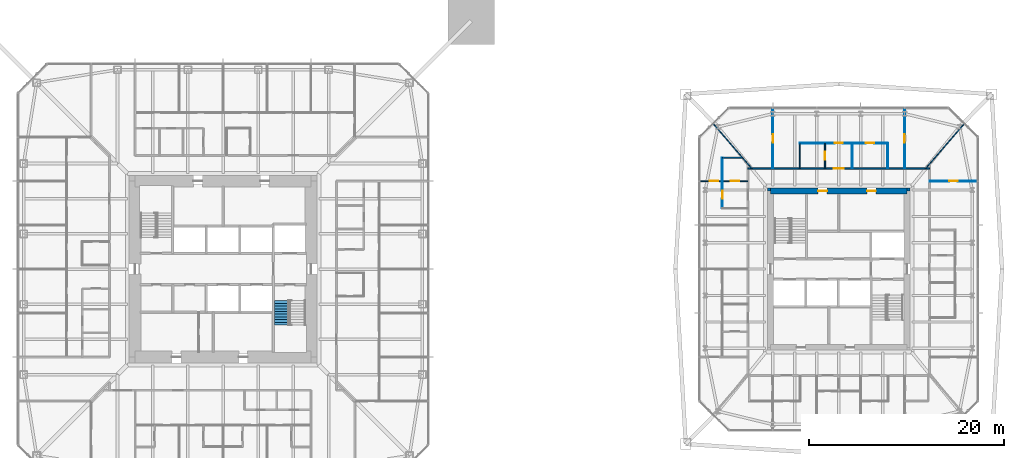
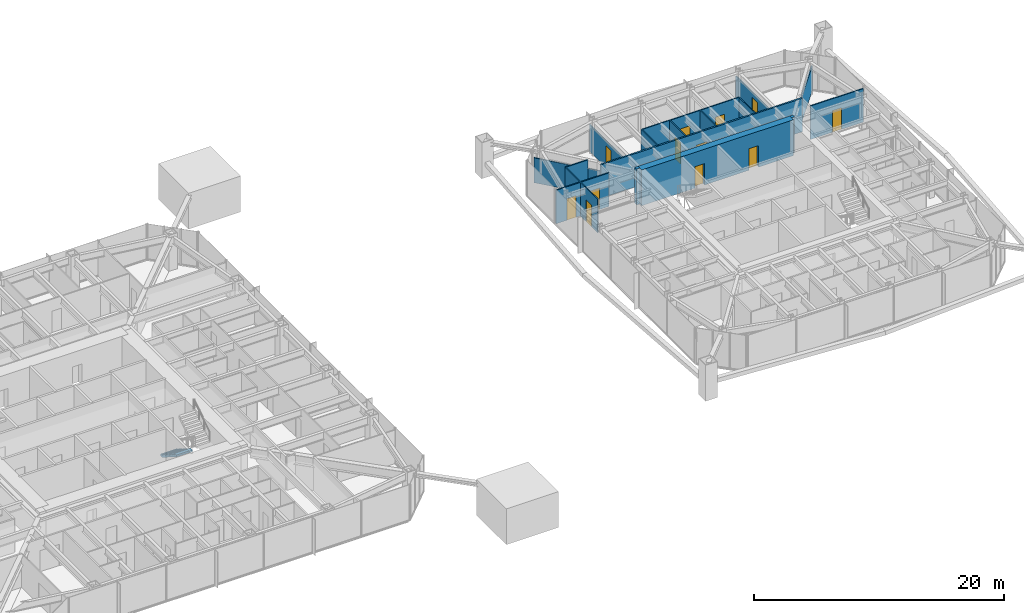
# One storey, part 19 of 25: 17 walls, 12 doors, 1 stair flight, 12 openings, 1 element without a shape of its own.
"""IFC4 building model written with IfcOpenShell, lengths in metres."""

from ifc_helpers import new_model, si_unit, direction, frame, frame_2d, origin, place, context, subcontext, project, spatial, polyline, rectangle, outline, extrude, material, layer, layer_set, constituent, constituent_set, type_object, element, fill, aggregate, save


model = new_model("IFC4")

# Units and contexts
model_context = context("Model", 3, precision=1e-05, world=origin(), true_north=direction((0.0, 1.0)))
body_context = subcontext(model_context, "Body", "Model", "MODEL_VIEW")
ifc_project = project(units=[si_unit("LENGTHUNIT", "METRE"), si_unit("AREAUNIT", "SQUARE_METRE"), si_unit("VOLUMEUNIT", "CUBIC_METRE"), si_unit("PLANEANGLEUNIT", "RADIAN"), si_unit("MASSUNIT", "GRAM", prefix="KILO")], contexts=[model_context])

# Site, building, storey
site_placement = place(None, origin())
site = spatial("IfcSite", under=ifc_project, at=site_placement, CompositionType="ELEMENT")
building_placement = place(site_placement, origin())
building = spatial("IfcBuilding", under=site, at=building_placement, Name="Iwan Alto Co-Living Towers", CompositionType="ELEMENT")
storey_placement = place(building_placement, frame((0.0, 0.0, 87.5)))
storey = spatial("IfcBuildingStorey", under=building, at=storey_placement, Name="L23", CompositionType="ELEMENT", Elevation=87.5)

# Wall, opening, door
ifc_material_1 = material(Name="Gypsum board")
ifc_layer_1 = layer(ifc_material_1, 0.02490234375, Name="Board", Category="Finish")
ifc_material_2 = material(Name="Steel ASTM A1003 ST33H cold-formed studs", Category="steel")
ifc_layer_2 = layer(ifc_material_2, 0.10009765625, Name="Studs", Category="Framing")
ifc_layer_3 = layer(ifc_material_1, 0.02490234375, Name="Board", Category="Finish")
ifc_layer_set_1 = layer_set([ifc_layer_1, ifc_layer_2, ifc_layer_3], Name="CORRIDOR WALL 150")
wall_type_1 = type_object("IfcWallType", Name="CORRIDOR WALL 150", PredefinedType="PARTITIONING", material=ifc_layer_set_1)
wall_1_placement = place(storey_placement, frame((53.699951171875, 10.300048828125, 0.0), z_axis=(0.0, 0.0, 1.0), x_axis=(1.0, 0.0, 0.0)))
wall_1 = element("IfcWall", 1, at=wall_1_placement, inside=storey, type_object=wall_type_1, Name="Partition L23", PredefinedType="PARTITIONING", context=body_context, shape_type="SweptSolid", body=[
    extrude(rectangle(XDim=18.60009765625, YDim=0.14990234375, at=frame_2d((9.300048828125, 0.0))), origin(), (0.0, 0.0, 1.0), 3.27001953125),
])
opening_1_placement = place(wall_1_placement, frame((8.800048828125, 0.0, 0.0)))
opening_1 = element("IfcOpeningElement", 2, at=opening_1_placement, cuts=wall_1, Name="Opening D3", PredefinedType="OPENING", context=body_context, shape_type="SweptSolid", body=[
    extrude(rectangle(XDim=1.0, YDim=2.10009765625, at=frame_2d((0.5, 1.050048828125))), frame((0.0, 0.0849609375, 0.0), z_axis=(0.0, -1.0, 0.0), x_axis=(1.0, 0.0, 0.0)), (0.0, 0.0, 1.0), 0.169921875),
])
ifc_material_3 = material(Name="Steel frame with timber leaf", Category="steel")
door_type_1 = type_object("IfcDoorType", Name="FLAT ENTRANCE DOOR FD30S 1000X2100", OperationType="SINGLE_SWING_LEFT", PredefinedType="DOOR", material=ifc_material_3)
door_1_placement = place(opening_1_placement, origin())
door_1 = element("IfcDoor", 3, at=door_1_placement, inside=storey, type_object=door_type_1, Name="Apartment foyer door L23", OperationType="SINGLE_SWING_LEFT", OverallHeight=2.10009765625, OverallWidth=1.0, PredefinedType="DOOR", context=body_context, shape_type="SweptSolid", body=[
    extrude(rectangle(XDim=1.0, YDim=2.10009765625, at=frame_2d((0.5, 1.050048828125))), frame((0.0, 0.02490234375, 0.0), z_axis=(0.0, -1.0, 0.0), x_axis=(1.0, 0.0, 0.0)), (0.0, 0.0, 1.0), 0.050048828125),
])
fill(opening_1, door_1)

ifc_layer_4 = layer(ifc_material_1, 0.012451171875, Name="Board", Category="Finish")
ifc_layer_5 = layer(ifc_material_2, 0.074951171875, Name="Studs", Category="Framing")
ifc_layer_6 = layer(ifc_material_1, 0.012451171875, Name="Board", Category="Finish")
ifc_layer_set_2 = layer_set([ifc_layer_4, ifc_layer_5, ifc_layer_6], Name="PARTITION 100")
wall_type_2 = type_object("IfcWallType", Name="PARTITION 100", PredefinedType="PARTITIONING", material=ifc_layer_set_2)
wall_2_placement = place(storey_placement, frame((72.300048828125, 9.0, 0.0), z_axis=(0.0, 0.0, 1.0), x_axis=(1.0, 0.0, 0.0)))
wall_2 = element("IfcWall", 4, at=wall_2_placement, inside=storey, type_object=wall_type_2, Name="Partition L23", PredefinedType="PARTITIONING", context=body_context, shape_type="SweptSolid", body=[
    extrude(rectangle(XDim=4.889892578125, YDim=0.10009765625, at=frame_2d((2.44482421875, 0.0))), origin(), (0.0, 0.0, 1.0), 3.27001953125),
])
opening_2_placement = place(wall_2_placement, frame((2.02001953125, 0.0, 0.0)))
opening_2 = element("IfcOpeningElement", 5, at=opening_2_placement, cuts=wall_2, Name="Opening D2", PredefinedType="OPENING", context=body_context, shape_type="SweptSolid", body=[
    extrude(rectangle(XDim=0.85009765625, YDim=2.10009765625, at=frame_2d((0.425048828125, 1.050048828125))), frame((0.0, 0.06005859375, 0.0), z_axis=(0.0, -1.0, 0.0), x_axis=(1.0, 0.0, 0.0)), (0.0, 0.0, 1.0), 0.1201171875),
])
ifc_material_4 = material(Name="Timber leaf in steel frame", Category="steel")
door_type_2 = type_object("IfcDoorType", Name="ROOM DOOR 850X2100", OperationType="SINGLE_SWING_LEFT", PredefinedType="DOOR", material=ifc_material_4)
door_2_placement = place(opening_2_placement, frame((0.85009765625, 0.0, 0.0), z_axis=(0.0, 0.0, 1.0), x_axis=(-1.0, 0.0, 0.0)))
door_2 = element("IfcDoor", 6, at=door_2_placement, inside=storey, type_object=door_type_2, Name="Bedroom door L23", OperationType="SINGLE_SWING_RIGHT", OverallHeight=2.10009765625, OverallWidth=0.85009765625, PredefinedType="DOOR", context=body_context, shape_type="SweptSolid", body=[
    extrude(rectangle(XDim=0.85009765625, YDim=2.10009765625, at=frame_2d((0.425048828125, 1.050048828125))), frame((0.0, 0.02490234375, 0.0), z_axis=(0.0, -1.0, 0.0), x_axis=(1.0, 0.0, 0.0)), (0.0, 0.0, 1.0), 0.050048828125),
])
fill(opening_2, door_2)

# Wall, openings, doors
wall_3_placement = place(storey_placement, frame((59.0, 12.89990234375, 0.0), z_axis=(0.0, 0.0, 1.0), x_axis=(1.0, 0.0, 0.0)))
wall_3 = element("IfcWall", 7, at=wall_3_placement, inside=storey, type_object=wall_type_2, Name="Partition L23", PredefinedType="PARTITIONING", context=body_context, shape_type="SweptSolid", body=[
    extrude(rectangle(XDim=9.0, YDim=0.10009765625, at=frame_2d((4.5, 0.0))), origin(), (0.0, 0.0, 1.0), 3.27001953125),
])
opening_3_placement = place(wall_3_placement, frame((6.77490234375, 0.0, 0.0)))
opening_3 = element("IfcOpeningElement", 8, at=opening_3_placement, cuts=wall_3, Name="Opening D2", PredefinedType="OPENING", context=body_context, shape_type="SweptSolid", body=[
    extrude(rectangle(XDim=0.85009765625, YDim=2.10009765625, at=frame_2d((0.425048828125, 1.050048828125))), frame((0.0, 0.06005859375, 0.0), z_axis=(0.0, -1.0, 0.0), x_axis=(1.0, 0.0, 0.0)), (0.0, 0.0, 1.0), 0.1201171875),
])
opening_4_placement = place(wall_3_placement, frame((3.574951171875, 0.0, 0.0)))
opening_4 = element("IfcOpeningElement", 9, at=opening_4_placement, cuts=wall_3, Name="Opening D2", PredefinedType="OPENING", context=body_context, shape_type="SweptSolid", body=[
    extrude(rectangle(XDim=0.85009765625, YDim=2.10009765625, at=frame_2d((0.425048828125, 1.050048828125))), frame((0.0, 0.06005859375, 0.0), z_axis=(0.0, -1.0, 0.0), x_axis=(1.0, 0.0, 0.0)), (0.0, 0.0, 1.0), 0.1201171875),
])
door_3_placement = place(opening_3_placement, origin())
door_3 = element("IfcDoor", 10, at=door_3_placement, inside=storey, type_object=door_type_2, Name="Kitchen door L23", OperationType="SINGLE_SWING_RIGHT", OverallHeight=2.10009765625, OverallWidth=0.85009765625, PredefinedType="DOOR", context=body_context, shape_type="SweptSolid", body=[
    extrude(rectangle(XDim=0.85009765625, YDim=2.10009765625, at=frame_2d((0.425048828125, 1.050048828125))), frame((0.0, 0.02490234375, 0.0), z_axis=(0.0, -1.0, 0.0), x_axis=(1.0, 0.0, 0.0)), (0.0, 0.0, 1.0), 0.050048828125),
])
fill(opening_3, door_3)
door_4_placement = place(opening_4_placement, origin())
door_4 = element("IfcDoor", 11, at=door_4_placement, inside=storey, type_object=door_type_2, Name="Apartment foyer door L23", OperationType="SINGLE_SWING_LEFT", OverallHeight=2.10009765625, OverallWidth=0.85009765625, PredefinedType="DOOR", context=body_context, shape_type="SweptSolid", body=[
    extrude(rectangle(XDim=0.85009765625, YDim=2.10009765625, at=frame_2d((0.425048828125, 1.050048828125))), frame((0.0, 0.02490234375, 0.0), z_axis=(0.0, -1.0, 0.0), x_axis=(1.0, 0.0, 0.0)), (0.0, 0.0, 1.0), 0.050048828125),
])
fill(opening_4, door_4)

# Wall
wall_4_placement = place(storey_placement, frame((71.89501953125, 10.300048828125, 0.0), z_axis=(0.0, 0.0, 1.0), x_axis=(0.65378286253, 0.756682211144, 0.0)))
element("IfcWall", 12, at=wall_4_placement, inside=storey, type_object=wall_type_2, Name="Partition L23", PredefinedType="PARTITIONING", context=body_context, shape_type="SweptSolid", body=[
    extrude(rectangle(XDim=6.005126953125, YDim=0.10009765625, at=frame_2d((3.00244140625, 0.0))), origin(), (0.0, 0.0, 1.0), 2.42919921875),
])

# Wall, opening, door
wall_5_placement = place(storey_placement, frame((69.75, 10.300048828125, 0.0), z_axis=(0.0, 0.0, 1.0), x_axis=(0.0, 1.0, 0.0)))
wall_5 = element("IfcWall", 13, at=wall_5_placement, inside=storey, type_object=wall_type_2, Name="Partition L23", PredefinedType="PARTITIONING", context=body_context, shape_type="SweptSolid", body=[
    extrude(rectangle(XDim=6.139892578125, YDim=0.10009765625, at=frame_2d((3.06982421875, 0.0))), origin(), (0.0, 0.0, 1.0), 2.586669921875),
])
opening_5_placement = place(wall_5_placement, frame((2.64501953125, 0.0, 0.0)))
opening_5 = element("IfcOpeningElement", 14, at=opening_5_placement, cuts=wall_5, Name="Opening D2", PredefinedType="OPENING", context=body_context, shape_type="SweptSolid", body=[
    extrude(rectangle(XDim=0.85009765625, YDim=2.10009765625, at=frame_2d((0.425048828125, 1.050048828125))), frame((0.0, 0.06005859375, 0.0), z_axis=(0.0, -1.0, 0.0), x_axis=(1.0, 0.0, 0.0)), (0.0, 0.0, 1.0), 0.1201171875),
])
door_5_placement = place(opening_5_placement, origin())
door_5 = element("IfcDoor", 15, at=door_5_placement, inside=storey, type_object=door_type_2, Name="Bedroom door L23", OperationType="SINGLE_SWING_LEFT", OverallHeight=2.10009765625, OverallWidth=0.85009765625, PredefinedType="DOOR", context=body_context, shape_type="SweptSolid", body=[
    extrude(rectangle(XDim=0.85009765625, YDim=2.10009765625, at=frame_2d((0.425048828125, 1.050048828125))), frame((0.0, 0.02490234375, 0.0), z_axis=(0.0, -1.0, 0.0), x_axis=(1.0, 0.0, 0.0)), (0.0, 0.0, 1.0), 0.050048828125),
])
fill(opening_5, door_5)

# Walls
for number, where, z_axis, x_axis, name in (
    (16, (68.0, 10.300048828125, 0.0), (0.0, 0.0, 1.0), (0.0, 1.0, 0.0), "Partition L23"),
    (17, (64.39990234375, 10.300048828125, 0.0), (0.0, 0.0, 1.0), (0.0, 1.0, 0.0), "Partition L23"),
):
    element("IfcWall", number, at=place(storey_placement, frame(where, z_axis=z_axis, x_axis=x_axis)), inside=storey, type_object=wall_type_2, Name=name, PredefinedType="PARTITIONING", context=body_context, shape_type="SweptSolid", body=[
        extrude(rectangle(XDim=2.599853515625, YDim=0.10009765625, at=frame_2d((1.2998046875, 0.0))), origin(), (0.0, 0.0, 1.0), 3.27001953125),
    ])

# Wall, opening, door
wall_6_placement = place(storey_placement, frame((56.25, 10.300048828125, 0.0), z_axis=(0.0, 0.0, 1.0), x_axis=(0.0, 1.0, 0.0)))
wall_6 = element("IfcWall", 18, at=wall_6_placement, inside=storey, type_object=wall_type_2, Name="Partition L23", PredefinedType="PARTITIONING", context=body_context, shape_type="SweptSolid", body=[
    extrude(rectangle(XDim=6.139892578125, YDim=0.10009765625, at=frame_2d((3.06982421875, 0.0))), origin(), (0.0, 0.0, 1.0), 2.586669921875),
])
opening_6_placement = place(wall_6_placement, frame((2.64501953125, 0.0, 0.0)))
opening_6 = element("IfcOpeningElement", 19, at=opening_6_placement, cuts=wall_6, Name="Opening D2", PredefinedType="OPENING", context=body_context, shape_type="SweptSolid", body=[
    extrude(rectangle(XDim=0.85009765625, YDim=2.10009765625, at=frame_2d((0.425048828125, 1.050048828125))), frame((0.0, 0.06005859375, 0.0), z_axis=(0.0, -1.0, 0.0), x_axis=(1.0, 0.0, 0.0)), (0.0, 0.0, 1.0), 0.1201171875),
])
door_6_placement = place(opening_6_placement, frame((0.85009765625, 0.0, 0.0), z_axis=(0.0, 0.0, 1.0), x_axis=(-1.0, 0.0, 0.0)))
door_6 = element("IfcDoor", 20, at=door_6_placement, inside=storey, type_object=door_type_2, Name="Bedroom door L23", OperationType="SINGLE_SWING_RIGHT", OverallHeight=2.10009765625, OverallWidth=0.85009765625, PredefinedType="DOOR", context=body_context, shape_type="SweptSolid", body=[
    extrude(rectangle(XDim=0.85009765625, YDim=2.10009765625, at=frame_2d((0.425048828125, 1.050048828125))), frame((0.0, 0.02490234375, 0.0), z_axis=(0.0, -1.0, 0.0), x_axis=(1.0, 0.0, 0.0)), (0.0, 0.0, 1.0), 0.050048828125),
])
fill(opening_6, door_6)

wall_7_placement = place(storey_placement, frame((51.10009765625, 6.199951171875, 0.0), z_axis=(0.0, 0.0, 1.0), x_axis=(0.0, 1.0, 0.0)))
wall_7 = element("IfcWall", 21, at=wall_7_placement, inside=storey, type_object=wall_type_2, Name="Partition L23", PredefinedType="PARTITIONING", context=body_context, shape_type="SweptSolid", body=[
    extrude(rectangle(XDim=5.199951171875, YDim=0.10009765625, at=frame_2d((2.60009765625, 0.0))), origin(), (0.0, 0.0, 1.0), 3.27001953125),
])
opening_7_placement = place(wall_7_placement, frame((0.97509765625, 0.0, 0.0)))
opening_7 = element("IfcOpeningElement", 22, at=opening_7_placement, cuts=wall_7, Name="Opening D2", PredefinedType="OPENING", context=body_context, shape_type="SweptSolid", body=[
    extrude(rectangle(XDim=0.85009765625, YDim=2.10009765625, at=frame_2d((0.425048828125, 1.050048828125))), frame((0.0, 0.06005859375, 0.0), z_axis=(0.0, -1.0, 0.0), x_axis=(1.0, 0.0, 0.0)), (0.0, 0.0, 1.0), 0.1201171875),
])
door_7_placement = place(opening_7_placement, origin())
door_7 = element("IfcDoor", 23, at=door_7_placement, inside=storey, type_object=door_type_2, Name="Apartment foyer door L23", OperationType="SINGLE_SWING_RIGHT", OverallHeight=2.10009765625, OverallWidth=0.85009765625, PredefinedType="DOOR", context=body_context, shape_type="SweptSolid", body=[
    extrude(rectangle(XDim=0.85009765625, YDim=2.10009765625, at=frame_2d((0.425048828125, 1.050048828125))), frame((0.0, 0.02490234375, 0.0), z_axis=(0.0, -1.0, 0.0), x_axis=(1.0, 0.0, 0.0)), (0.0, 0.0, 1.0), 0.050048828125),
])
fill(opening_7, door_7)

# Walls
wall_8_placement = place(storey_placement, frame((54.10498046875, 10.300048828125, 0.0), z_axis=(0.0, 0.0, 1.0), x_axis=(-0.653606109319, 0.756834892074, 0.0)))
element("IfcWall", 24, at=wall_8_placement, inside=storey, type_object=wall_type_2, Name="Partition L23", PredefinedType="PARTITIONING", context=body_context, shape_type="SweptSolid", body=[
    extrude(rectangle(XDim=6.0048828125, YDim=0.10009765625, at=frame_2d((3.00244140625, 0.0))), origin(), (0.0, 0.0, 1.0), 2.42919921875),
])
ifc_material_5 = material(Name="Concrete f'c 70 MPa", Category="concrete")
ifc_layer_7 = layer(ifc_material_5, 0.300048828125)
ifc_layer_set_3 = layer_set([ifc_layer_7], Name="T2 CORE CORNER FILL 300")
wall_type_3 = type_object("IfcWallType", Name="T2 CORE CORNER FILL 300", PredefinedType="SOLIDWALL", material=ifc_layer_set_3)
for number, where, z_axis, x_axis, name in (
    (25, (70.0, 8.14990234375, 0.0), (0.0, 0.0, 1.0), (1.0, 0.0, 0.0), "T2 core corner NE L23"),
    (26, (55.699951171875, 8.14990234375, 0.0), (0.0, 0.0, 1.0), (1.0, 0.0, 0.0), "T2 core corner NW L23"),
):
    element("IfcWall", number, at=place(storey_placement, frame(where, z_axis=z_axis, x_axis=x_axis)), inside=storey, type_object=wall_type_3, Name=name, PredefinedType="SOLIDWALL", context=body_context, shape_type="SweptSolid", body=[
        extrude(rectangle(XDim=0.300048828125, YDim=0.300048828125, at=frame_2d((0.14990234375, 0.0))), origin(), (0.0, 0.0, 1.0), 3.5),
    ])

# Wall, openings, doors
ifc_material_6 = material(Name="Concrete f'c 70 MPa", Category="concrete")
ifc_layer_8 = layer(ifc_material_6, 0.60009765625)
ifc_layer_set_4 = layer_set([ifc_layer_8], Name="T2 CORE WALL 600")
wall_type_4 = type_object("IfcWallType", Name="T2 CORE WALL 600", PredefinedType="SHEAR", material=ifc_layer_set_4)
wall_9_placement = place(storey_placement, frame((70.0, 8.0, 0.0), z_axis=(0.0, 0.0, 1.0), x_axis=(-1.0, 0.0, 0.0)))
wall_9 = element("IfcWall", 27, at=wall_9_placement, inside=storey, type_object=wall_type_4, Name="T2 core wall N L23", PredefinedType="SHEAR", context=body_context, shape_type="SweptSolid", body=[
    extrude(rectangle(XDim=14.0, YDim=0.60009765625, at=frame_2d((7.0, 0.0))), origin(), (0.0, 0.0, 1.0), 3.5),
])
opening_8_placement = place(wall_9_placement, frame((8.199951171875, 0.0, 0.0)))
opening_8 = element("IfcOpeningElement", 28, at=opening_8_placement, cuts=wall_9, Name="Opening D8", PredefinedType="OPENING", context=body_context, shape_type="SweptSolid", body=[
    extrude(rectangle(XDim=0.89990234375, YDim=2.10009765625, at=frame_2d((0.449951171875, 1.050048828125))), frame((0.0, 0.31005859375, 0.0), z_axis=(0.0, -1.0, 0.0), x_axis=(1.0, 0.0, 0.0)), (0.0, 0.0, 1.0), 0.6201171875),
])
opening_9_placement = place(wall_9_placement, frame((3.199951171875, 0.0, 0.0)))
opening_9 = element("IfcOpeningElement", 29, at=opening_9_placement, cuts=wall_9, Name="Opening D8", PredefinedType="OPENING", context=body_context, shape_type="SweptSolid", body=[
    extrude(rectangle(XDim=0.89990234375, YDim=2.10009765625, at=frame_2d((0.449951171875, 1.050048828125))), frame((0.0, 0.31005859375, 0.0), z_axis=(0.0, -1.0, 0.0), x_axis=(1.0, 0.0, 0.0)), (0.0, 0.0, 1.0), 0.6201171875),
])
ifc_material_7 = material(Name="Steel frame with timber leaf", Category="steel")
door_type_3 = type_object("IfcDoorType", Name="RISER DOOR FD120 900X2100", OperationType="SINGLE_SWING_LEFT", PredefinedType="DOOR", material=ifc_material_7)
door_8_placement = place(opening_8_placement, origin())
door_8 = element("IfcDoor", 30, at=door_8_placement, inside=storey, type_object=door_type_3, Name="Electrical riser core door L23", OperationType="SINGLE_SWING_RIGHT", OverallHeight=2.10009765625, OverallWidth=0.89990234375, PredefinedType="DOOR", context=body_context, shape_type="SweptSolid", body=[
    extrude(rectangle(XDim=0.89990234375, YDim=2.10009765625, at=frame_2d((0.449951171875, 1.050048828125))), frame((0.0, 0.02490234375, 0.0), z_axis=(0.0, -1.0, 0.0), x_axis=(1.0, 0.0, 0.0)), (0.0, 0.0, 1.0), 0.050048828125),
])
fill(opening_8, door_8)
door_9_placement = place(opening_9_placement, origin())
door_9 = element("IfcDoor", 31, at=door_9_placement, inside=storey, type_object=door_type_3, Name="Water and drainage riser core door L23", OperationType="SINGLE_SWING_RIGHT", OverallHeight=2.10009765625, OverallWidth=0.89990234375, PredefinedType="DOOR", context=body_context, shape_type="SweptSolid", body=[
    extrude(rectangle(XDim=0.89990234375, YDim=2.10009765625, at=frame_2d((0.449951171875, 1.050048828125))), frame((0.0, 0.02490234375, 0.0), z_axis=(0.0, -1.0, 0.0), x_axis=(1.0, 0.0, 0.0)), (0.0, 0.0, 1.0), 0.050048828125),
])
fill(opening_9, door_9)

ifc_material_8 = material(Name="Cement board")
ifc_layer_9 = layer(ifc_material_8, 0.012451171875, Name="Board", Category="Finish")
ifc_layer_10 = layer(ifc_material_2, 0.094970703125, Name="Studs", Category="Framing")
ifc_layer_11 = layer(ifc_material_8, 0.012451171875, Name="Board", Category="Finish")
ifc_layer_set_5 = layer_set([ifc_layer_9, ifc_layer_10, ifc_layer_11], Name="WET AREA PARTITION 120")
wall_type_5 = type_object("IfcWallType", Name="WET AREA PARTITION 120", PredefinedType="PARTITIONING", material=ifc_layer_set_5)
wall_10_placement = place(storey_placement, frame((48.81005859375, 9.0, 0.0), z_axis=(0.0, 0.0, 1.0), x_axis=(1.0, 0.0, 0.0)))
wall_10 = element("IfcWall", 32, at=wall_10_placement, inside=storey, type_object=wall_type_5, Name="Partition L23", PredefinedType="PARTITIONING", context=body_context, shape_type="SweptSolid", body=[
    extrude(rectangle(XDim=4.889892578125, YDim=0.1201171875, at=frame_2d((2.44482421875, 0.0))), origin(), (0.0, 0.0, 1.0), 3.27001953125),
])
opening_10_placement = place(wall_10_placement, frame((3.1650390625, 0.0, 0.0)))
opening_10 = element("IfcOpeningElement", 33, at=opening_10_placement, cuts=wall_10, Name="Opening D2", PredefinedType="OPENING", context=body_context, shape_type="SweptSolid", body=[
    extrude(rectangle(XDim=0.85009765625, YDim=2.10009765625, at=frame_2d((0.425048828125, 1.050048828125))), frame((0.0, 0.070068359375, 0.0), z_axis=(0.0, -1.0, 0.0), x_axis=(1.0, 0.0, 0.0)), (0.0, 0.0, 1.0), 0.14013671875),
])
opening_11_placement = place(wall_10_placement, frame((0.989990234375, 0.0, 0.0)))
opening_11 = element("IfcOpeningElement", 34, at=opening_11_placement, cuts=wall_10, Name="Opening D2", PredefinedType="OPENING", context=body_context, shape_type="SweptSolid", body=[
    extrude(rectangle(XDim=0.85009765625, YDim=2.10009765625, at=frame_2d((0.425048828125, 1.050048828125))), frame((0.0, 0.070068359375, 0.0), z_axis=(0.0, -1.0, 0.0), x_axis=(1.0, 0.0, 0.0)), (0.0, 0.0, 1.0), 0.14013671875),
])
door_10_placement = place(opening_10_placement, origin())
door_10 = element("IfcDoor", 35, at=door_10_placement, inside=storey, type_object=door_type_2, Name="Bathroom door L23", OperationType="SINGLE_SWING_LEFT", OverallHeight=2.10009765625, OverallWidth=0.85009765625, PredefinedType="DOOR", context=body_context, shape_type="SweptSolid", body=[
    extrude(rectangle(XDim=0.85009765625, YDim=2.10009765625, at=frame_2d((0.425048828125, 1.050048828125))), frame((0.0, 0.02490234375, 0.0), z_axis=(0.0, -1.0, 0.0), x_axis=(1.0, 0.0, 0.0)), (0.0, 0.0, 1.0), 0.050048828125),
])
fill(opening_10, door_10)
door_11_placement = place(opening_11_placement, origin())
door_11 = element("IfcDoor", 36, at=door_11_placement, inside=storey, type_object=door_type_2, Name="Bedroom door L23", OperationType="SINGLE_SWING_RIGHT", OverallHeight=2.10009765625, OverallWidth=0.85009765625, PredefinedType="DOOR", context=body_context, shape_type="SweptSolid", body=[
    extrude(rectangle(XDim=0.85009765625, YDim=2.10009765625, at=frame_2d((0.425048828125, 1.050048828125))), frame((0.0, 0.02490234375, 0.0), z_axis=(0.0, -1.0, 0.0), x_axis=(1.0, 0.0, 0.0)), (0.0, 0.0, 1.0), 0.050048828125),
])
fill(opening_11, door_11)

# Wall
wall_11_placement = place(storey_placement, frame((51.10009765625, 11.39990234375, 0.0), z_axis=(0.0, 0.0, 1.0), x_axis=(1.0, 0.0, 0.0)))
element("IfcWall", 37, at=wall_11_placement, inside=storey, type_object=wall_type_5, Name="Partition L23", PredefinedType="PARTITIONING", context=body_context, shape_type="SweptSolid", body=[
    extrude(rectangle(XDim=2.054931640625, YDim=0.1201171875, at=frame_2d((1.02734375, 0.0))), origin(), (0.0, 0.0, 1.0), 3.27001953125),
])

# Wall, opening, door
wall_12_placement = place(storey_placement, frame((61.60009765625, 10.300048828125, 0.0), z_axis=(0.0, 0.0, 1.0), x_axis=(0.0, 1.0, 0.0)))
wall_12 = element("IfcWall", 38, at=wall_12_placement, inside=storey, type_object=wall_type_5, Name="Partition L23", PredefinedType="PARTITIONING", context=body_context, shape_type="SweptSolid", body=[
    extrude(rectangle(XDim=2.599853515625, YDim=0.1201171875, at=frame_2d((1.2998046875, 0.0))), origin(), (0.0, 0.0, 1.0), 3.27001953125),
])
opening_12_placement = place(wall_12_placement, frame((0.875, 0.0, 0.0)))
opening_12 = element("IfcOpeningElement", 39, at=opening_12_placement, cuts=wall_12, Name="Opening D2", PredefinedType="OPENING", context=body_context, shape_type="SweptSolid", body=[
    extrude(rectangle(XDim=0.85009765625, YDim=2.10009765625, at=frame_2d((0.425048828125, 1.050048828125))), frame((0.0, 0.070068359375, 0.0), z_axis=(0.0, -1.0, 0.0), x_axis=(1.0, 0.0, 0.0)), (0.0, 0.0, 1.0), 0.14013671875),
])
door_12_placement = place(opening_12_placement, origin())
door_12 = element("IfcDoor", 40, at=door_12_placement, inside=storey, type_object=door_type_2, Name="Bathroom door L23", OperationType="SINGLE_SWING_LEFT", OverallHeight=2.10009765625, OverallWidth=0.85009765625, PredefinedType="DOOR", context=body_context, shape_type="SweptSolid", body=[
    extrude(rectangle(XDim=0.85009765625, YDim=2.10009765625, at=frame_2d((0.425048828125, 1.050048828125))), frame((0.0, 0.02490234375, 0.0), z_axis=(0.0, -1.0, 0.0), x_axis=(1.0, 0.0, 0.0)), (0.0, 0.0, 1.0), 0.050048828125),
])
fill(opening_12, door_12)

# Wall
wall_13_placement = place(storey_placement, frame((59.0, 10.300048828125, 0.0), z_axis=(0.0, 0.0, 1.0), x_axis=(0.0, 1.0, 0.0)))
element("IfcWall", 41, at=wall_13_placement, inside=storey, type_object=wall_type_5, Name="Partition L23", PredefinedType="PARTITIONING", context=body_context, shape_type="SweptSolid", body=[
    extrude(rectangle(XDim=2.599853515625, YDim=0.1201171875, at=frame_2d((1.2998046875, 0.0))), origin(), (0.0, 0.0, 1.0), 3.27001953125),
])

# Stair, stair flight
ifc_material_9 = material(Name="Steel ASTM A36", Category="steel")
ifc_constituent_1 = constituent(ifc_material_9, Name="Stringers", Category="LoadBearing")
ifc_material_10 = material(Name="Concrete f'c 30 MPa", Category="concrete")
ifc_constituent_2 = constituent(ifc_material_10, Name="Tread fill", Category="Finish")
ifc_constituent_set_1 = constituent_set(constituents=[ifc_constituent_1, ifc_constituent_2], Name="STAIR 3500 TWO-FLIGHT T1 CORE")
stair_type = type_object("IfcStairType", Name="STAIR 3500 TWO-FLIGHT T1 CORE", PredefinedType="HALF_TURN_STAIR", material=ifc_constituent_set_1)
stair_placement = place(storey_placement, origin())
stair = element("IfcStair", 42, at=stair_placement, inside=storey, type_object=stair_type, Name="Stair T1-S2 L23 to L24", PredefinedType="HALF_TURN_STAIR")
ifc_constituent_3 = constituent(ifc_material_9, Name="Stringers", Category="LoadBearing")
ifc_constituent_4 = constituent(ifc_material_10, Name="Tread fill", Category="Finish")
ifc_constituent_set_2 = constituent_set(constituents=[ifc_constituent_3, ifc_constituent_4], Name="STAIR FLIGHT 10 RISERS 280 GOING")
stair_flight_type = type_object("IfcStairFlightType", Name="STAIR FLIGHT 10 RISERS 280 GOING", PredefinedType="STRAIGHT", material=ifc_constituent_set_2)
stair_flight_placement = place(storey_placement, frame((6.010009765625, -3.219970703125, 0.0), z_axis=(0.0, 0.0, 1.0), x_axis=(0.0, -1.0, 0.0)))
stair_flight = element("IfcStairFlight", 43, at=stair_flight_placement, type_object=stair_flight_type, Name="T1-S2 flight 1", NumberOfRisers=10, NumberOfTreads=9, PredefinedType="STRAIGHT", RiserHeight=0.175, TreadLength=0.28, context=body_context, shape_type="SweptSolid", body=[
    extrude(outline(polyline([(0.0, 0.0), (0.0, 0.175048828125), (0.280029296875, 0.175048828125), (0.280029296875, 0.35009765625), (0.56005859375, 0.35009765625), (0.56005859375, 0.52490234375), (0.840087890625, 0.52490234375), (0.840087890625, 0.699951171875), (1.1201171875, 0.699951171875), (1.1201171875, 0.875), (1.39990234375, 0.875), (1.39990234375, 1.050048828125), (1.679931640625, 1.050048828125), (1.679931640625, 1.22509765625), (1.9599609375, 1.22509765625), (1.9599609375, 1.39990234375), (2.239990234375, 1.39990234375), (2.239990234375, 1.574951171875), (2.52001953125, 1.574951171875), (2.52001953125, 1.75), (2.52001953125, 1.398193359375), (0.28271484375, 0.0), (0.0, 0.0)])), frame((0.0, 0.739990234375, 0.0), z_axis=(0.0, -1.0, 0.0), x_axis=(1.0, 0.0, 0.0)), (0.0, 0.0, 1.0), 1.47998046875),
])
aggregate(stair, [stair_flight])

save(model, "model.ifc")
